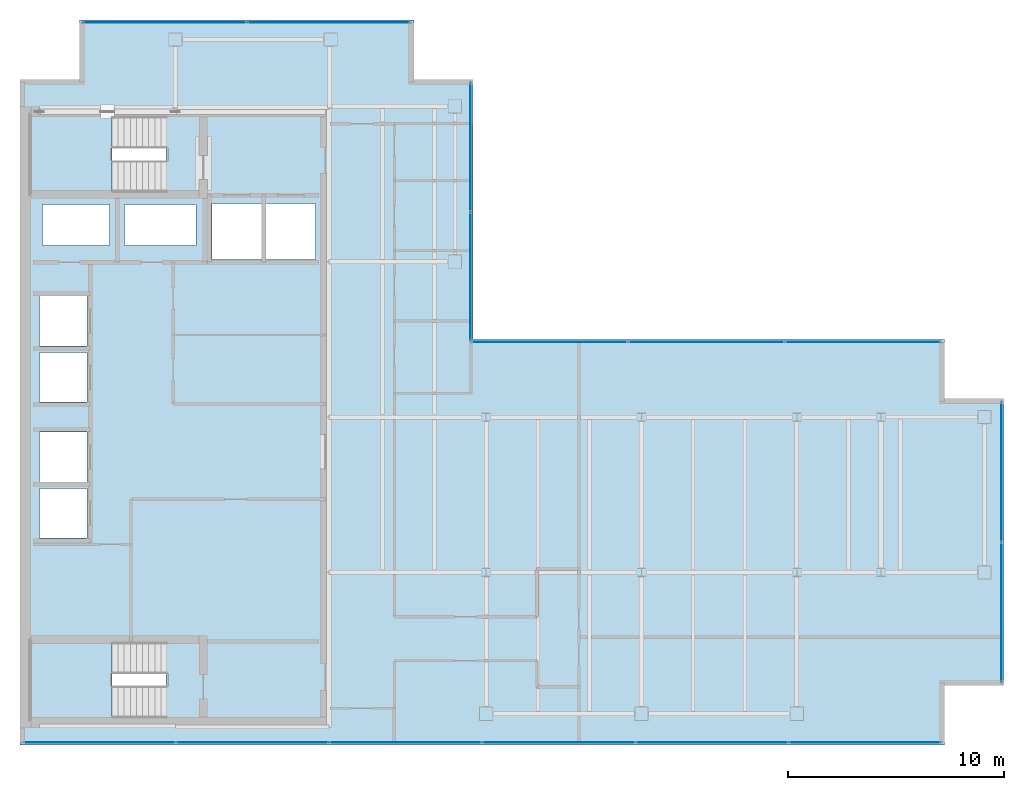
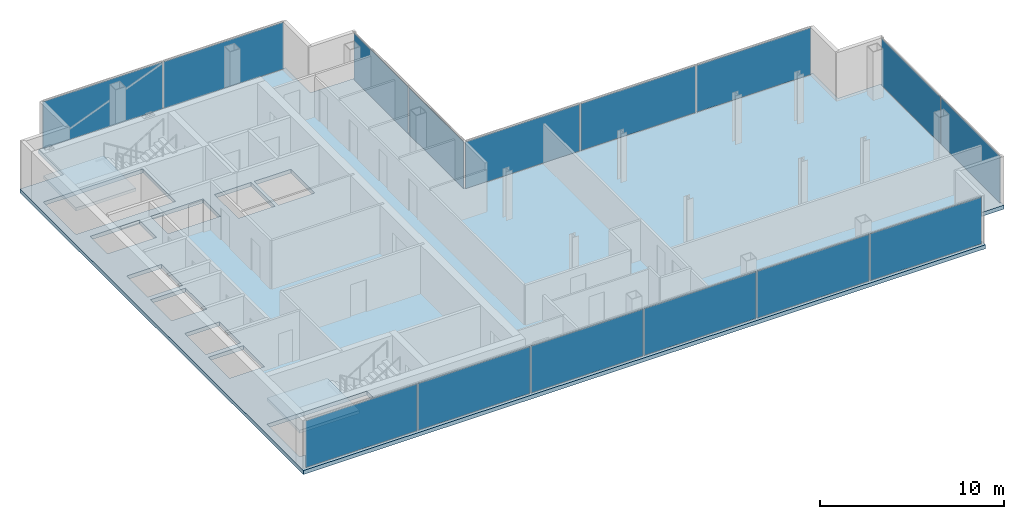
# One storey, part 20 of 24: 15 plates, 3 slabs, 10 openings, 7 elements without a shape of their own.
"""IFC4 building model written with IfcOpenShell, lengths in metres."""

from ifc_helpers import new_model, si_unit, direction, frame, origin, origin_2d, place, context, subcontext, project, spatial, polyline, rectangle, outline, extrude, material, layer, layer_set, type_object, element, aggregate, save


model = new_model("IFC4")

# Units and contexts
model_context = context("Model", 3, precision=1e-05, world=origin(), true_north=direction((0.0, 1.0)))
body_context = subcontext(model_context, "Body", "Model", "MODEL_VIEW")
ifc_project = project(units=[si_unit("LENGTHUNIT", "METRE"), si_unit("AREAUNIT", "SQUARE_METRE"), si_unit("VOLUMEUNIT", "CUBIC_METRE"), si_unit("PLANEANGLEUNIT", "RADIAN"), si_unit("MASSUNIT", "GRAM", prefix="KILO")], contexts=[model_context])

# Site, building, storey
site_placement = place(None, origin())
site = spatial("IfcSite", under=ifc_project, at=site_placement, CompositionType="ELEMENT")
building_placement = place(site_placement, origin())
building = spatial("IfcBuilding", under=site, at=building_placement, Name="Cobrela Telecom Tower", CompositionType="ELEMENT")
storey_placement = place(building_placement, frame((0.0, 0.0, 248.14990234375)))
storey = spatial("IfcBuildingStorey", under=building, at=storey_placement, Name="L64", CompositionType="ELEMENT", Elevation=248.14990234375)

# Curtain wall, plates
ifc_material_1 = material(Name="Anodized Bronze Aluminium 6063-T6", Category="aluminium")
curtain_wall_type = type_object("IfcCurtainWallType", Name="CW-SYS-OFF-HI", PredefinedType="USERDEFINED", material=ifc_material_1)
curtain_wall_1_placement = place(storey_placement, origin())
curtain_wall_1 = element("IfcCurtainWall", 1, at=curtain_wall_1_placement, inside=storey, type_object=curtain_wall_type, Name="L64 Unitised Bronze Curtain Wall 05", ObjectType="UNITISED CURTAIN WALL", PredefinedType="USERDEFINED")
ifc_material_2 = material(Name="Solar-Control Bronze Low-E Glass", Category="glass")
ifc_layer_1 = layer(ifc_material_2, 0.030029296875)
ifc_layer_set_1 = layer_set([ifc_layer_1], Name="Solar-Control Bronze Low-E Glass")
plate_type = type_object("IfcPlateType", Name="CW-SYS-OFF-HI-PNL", PredefinedType="CURTAIN_PANEL", material=ifc_layer_set_1)
plate_1_placement = place(storey_placement, frame((6.702392578125, 39.8798828125, 0.06494140625), z_axis=(0.0, 0.0, 1.0), x_axis=(1.0, 0.0, 0.0)))
plate_1 = element("IfcPlate", 2, at=plate_1_placement, type_object=plate_type, Name="CW-OFF-HI panel 1.1", PredefinedType="CURTAIN_PANEL", context=body_context, shape_type="SweptSolid", body=[
    extrude(rectangle(XDim=7.52490234375, YDim=0.030029296875, at=origin_2d()), origin(), (0.0, 0.0, 1.0), 3.110107421875),
])
plate_2_placement = place(storey_placement, frame((14.297607421875, 39.8798828125, 0.06494140625), z_axis=(0.0, 0.0, 1.0), x_axis=(1.0, 0.0, 0.0)))
plate_2 = element("IfcPlate", 3, at=plate_2_placement, type_object=plate_type, Name="CW-OFF-HI panel 2.1", PredefinedType="CURTAIN_PANEL", context=body_context, shape_type="SweptSolid", body=[
    extrude(rectangle(XDim=7.52490234375, YDim=0.030029296875, at=origin_2d()), origin(), (0.0, 0.0, 1.0), 3.110107421875),
])
aggregate(curtain_wall_1, [plate_1, plate_2])

curtain_wall_2_placement = place(storey_placement, origin())
curtain_wall_2 = element("IfcCurtainWall", 4, at=curtain_wall_2_placement, inside=storey, type_object=curtain_wall_type, Name="L64 Unitised Bronze Curtain Wall 08", ObjectType="UNITISED CURTAIN WALL", PredefinedType="USERDEFINED")
plate_3_placement = place(storey_placement, frame((20.8798828125, 34.10009765625, 0.06494140625), z_axis=(0.0, 0.0, 1.0), x_axis=(0.0, -1.0, 0.0)))
plate_3 = element("IfcPlate", 5, at=plate_3_placement, type_object=plate_type, Name="CW-OFF-HI panel 1.1", PredefinedType="CURTAIN_PANEL", context=body_context, shape_type="SweptSolid", body=[
    extrude(rectangle(XDim=5.919921875, YDim=0.030029296875, at=origin_2d()), origin(), (0.0, 0.0, 1.0), 3.110107421875),
])
plate_4_placement = place(storey_placement, frame((20.8798828125, 28.110107421875, 0.06494140625), z_axis=(0.0, 0.0, 1.0), x_axis=(0.0, -1.0, 0.0)))
plate_4 = element("IfcPlate", 6, at=plate_4_placement, type_object=plate_type, Name="CW-OFF-HI panel 2.1", PredefinedType="CURTAIN_PANEL", context=body_context, shape_type="SweptSolid", body=[
    extrude(rectangle(XDim=5.919921875, YDim=0.030029296875, at=origin_2d()), origin(), (0.0, 0.0, 1.0), 3.110107421875),
])
aggregate(curtain_wall_2, [plate_3, plate_4])

curtain_wall_3_placement = place(storey_placement, origin())
curtain_wall_3 = element("IfcCurtainWall", 7, at=curtain_wall_3_placement, inside=storey, type_object=curtain_wall_type, Name="L64 Unitised Bronze Curtain Wall 09", ObjectType="UNITISED CURTAIN WALL", PredefinedType="USERDEFINED")
plate_5_placement = place(storey_placement, frame((24.5390625, 25.080078125, 0.06494140625), z_axis=(0.0, 0.0, 1.0), x_axis=(1.0, 0.0, 0.0)))
plate_5 = element("IfcPlate", 8, at=plate_5_placement, type_object=plate_type, Name="CW-OFF-HI panel 1.1", PredefinedType="CURTAIN_PANEL", context=body_context, shape_type="SweptSolid", body=[
    extrude(rectangle(XDim=7.17822265625, YDim=0.030029296875, at=origin_2d()), origin(), (0.0, 0.0, 1.0), 3.110107421875),
])
plate_6_placement = place(storey_placement, frame((31.804931640625, 25.080078125, 0.06494140625), z_axis=(0.0, 0.0, 1.0), x_axis=(1.0, 0.0, 0.0)))
plate_6 = element("IfcPlate", 9, at=plate_6_placement, type_object=plate_type, Name="CW-OFF-HI panel 2.1", PredefinedType="CURTAIN_PANEL", context=body_context, shape_type="SweptSolid", body=[
    extrude(rectangle(XDim=7.21337890625, YDim=0.030029296875, at=origin_2d()), origin(), (0.0, 0.0, 1.0), 3.110107421875),
])
plate_7_placement = place(storey_placement, frame((39.07080078125, 25.080078125, 0.06494140625), z_axis=(0.0, 0.0, 1.0), x_axis=(1.0, 0.0, 0.0)))
plate_7 = element("IfcPlate", 10, at=plate_7_placement, type_object=plate_type, Name="CW-OFF-HI panel 3.1", PredefinedType="CURTAIN_PANEL", context=body_context, shape_type="SweptSolid", body=[
    extrude(rectangle(XDim=7.17822265625, YDim=0.030029296875, at=origin_2d()), origin(), (0.0, 0.0, 1.0), 3.110107421875),
])
aggregate(curtain_wall_3, [plate_5, plate_6, plate_7])

curtain_wall_4_placement = place(storey_placement, origin())
curtain_wall_4 = element("IfcCurtainWall", 11, at=curtain_wall_4_placement, inside=storey, type_object=curtain_wall_type, Name="L64 Unitised Bronze Curtain Wall 12", ObjectType="UNITISED CURTAIN WALL", PredefinedType="USERDEFINED")
plate_8_placement = place(storey_placement, frame((45.47998046875, 19.047607421875, 0.06494140625), z_axis=(0.0, 0.0, 1.0), x_axis=(0.0, -1.0, 0.0)))
plate_8 = element("IfcPlate", 12, at=plate_8_placement, type_object=plate_type, Name="CW-OFF-HI panel 1.1", PredefinedType="CURTAIN_PANEL", context=body_context, shape_type="SweptSolid", body=[
    extrude(rectangle(XDim=6.425048828125, YDim=0.030029296875, at=origin_2d()), origin(), (0.0, 0.0, 1.0), 3.110107421875),
])
plate_9_placement = place(storey_placement, frame((45.47998046875, 12.552490234375, 0.06494140625), z_axis=(0.0, 0.0, 1.0), x_axis=(0.0, -1.0, 0.0)))
plate_9 = element("IfcPlate", 13, at=plate_9_placement, type_object=plate_type, Name="CW-OFF-HI panel 2.1", PredefinedType="CURTAIN_PANEL", context=body_context, shape_type="SweptSolid", body=[
    extrude(rectangle(XDim=6.425048828125, YDim=0.030029296875, at=origin_2d()), origin(), (0.0, 0.0, 1.0), 3.110107421875),
])
aggregate(curtain_wall_4, [plate_8, plate_9])

curtain_wall_5_placement = place(storey_placement, origin())
curtain_wall_5 = element("IfcCurtainWall", 14, at=curtain_wall_5_placement, inside=storey, type_object=curtain_wall_type, Name="L64 Unitised Bronze Curtain Wall 15", ObjectType="UNITISED CURTAIN WALL", PredefinedType="USERDEFINED")
plate_10_placement = place(storey_placement, frame((39.16162109375, 6.52001953125, 0.06494140625), z_axis=(0.0, 0.0, 1.0), x_axis=(-1.0, 0.0, 0.0)))
plate_10 = element("IfcPlate", 15, at=plate_10_placement, type_object=plate_type, Name="CW-OFF-HI panel 1.1", PredefinedType="CURTAIN_PANEL", context=body_context, shape_type="SweptSolid", body=[
    extrude(rectangle(XDim=6.99658203125, YDim=0.030029296875, at=origin_2d()), origin(), (0.0, 0.0, 1.0), 3.110107421875),
])
plate_11_placement = place(storey_placement, frame((32.077392578125, 6.52001953125, 0.06494140625), z_axis=(0.0, 0.0, 1.0), x_axis=(-1.0, 0.0, 0.0)))
plate_11 = element("IfcPlate", 16, at=plate_11_placement, type_object=plate_type, Name="CW-OFF-HI panel 2.1", PredefinedType="CURTAIN_PANEL", context=body_context, shape_type="SweptSolid", body=[
    extrude(rectangle(XDim=7.03173828125, YDim=0.030029296875, at=origin_2d()), origin(), (0.0, 0.0, 1.0), 3.110107421875),
])
plate_12_placement = place(storey_placement, frame((24.975830078125, 6.52001953125, 0.06494140625), z_axis=(0.0, 0.0, 1.0), x_axis=(-1.0, 0.0, 0.0)))
plate_12 = element("IfcPlate", 17, at=plate_12_placement, type_object=plate_type, Name="CW-OFF-HI panel 3.1", PredefinedType="CURTAIN_PANEL", context=body_context, shape_type="SweptSolid", body=[
    extrude(rectangle(XDim=7.03173828125, YDim=0.030029296875, at=origin_2d()), origin(), (0.0, 0.0, 1.0), 3.110107421875),
])
plate_13_placement = place(storey_placement, frame((17.874267578125, 6.52001953125, 0.06494140625), z_axis=(0.0, 0.0, 1.0), x_axis=(-1.0, 0.0, 0.0)))
plate_13 = element("IfcPlate", 18, at=plate_13_placement, type_object=plate_type, Name="CW-OFF-HI panel 4.1", PredefinedType="CURTAIN_PANEL", context=body_context, shape_type="SweptSolid", body=[
    extrude(rectangle(XDim=7.03173828125, YDim=0.030029296875, at=origin_2d()), origin(), (0.0, 0.0, 1.0), 3.110107421875),
])
plate_14_placement = place(storey_placement, frame((10.7724609375, 6.52001953125, 0.06494140625), z_axis=(0.0, 0.0, 1.0), x_axis=(-1.0, 0.0, 0.0)))
plate_14 = element("IfcPlate", 19, at=plate_14_placement, type_object=plate_type, Name="CW-OFF-HI panel 5.1", PredefinedType="CURTAIN_PANEL", context=body_context, shape_type="SweptSolid", body=[
    extrude(rectangle(XDim=7.03173828125, YDim=0.030029296875, at=origin_2d()), origin(), (0.0, 0.0, 1.0), 3.110107421875),
])
plate_15_placement = place(storey_placement, frame((3.688232421875, 6.52001953125, 0.06494140625), z_axis=(0.0, 0.0, 1.0), x_axis=(-1.0, 0.0, 0.0)))
plate_15 = element("IfcPlate", 20, at=plate_15_placement, type_object=plate_type, Name="CW-OFF-HI panel 6.1", PredefinedType="CURTAIN_PANEL", context=body_context, shape_type="SweptSolid", body=[
    extrude(rectangle(XDim=6.99658203125, YDim=0.030029296875, at=origin_2d()), origin(), (0.0, 0.0, 1.0), 3.110107421875),
])
aggregate(curtain_wall_5, [plate_10, plate_11, plate_12, plate_13, plate_14, plate_15])

# Slab, openings
ifc_material_3 = material(Name="Concrete C40/50", Category="concrete")
ifc_layer_2 = layer(ifc_material_3, 0.260009765625)
ifc_layer_set_2 = layer_set([ifc_layer_2], Name="Concrete C40/50")
slab_type_1 = type_object("IfcSlabType", Name="SLAB-FLR-260", PredefinedType="FLOOR", material=ifc_layer_set_2)
slab_1_placement = place(storey_placement, frame((0.0, 0.0, -0.260009765625)))
slab_1 = element("IfcSlab", 21, at=slab_1_placement, inside=storey, type_object=slab_type_1, Name="L64 Structural Floor Slab", PredefinedType="FLOOR", context=body_context, shape_type="SweptSolid", body=[
    extrude(outline(polyline([(0.0, 6.39990234375), (42.85009765625, 6.39990234375), (42.85009765625, 9.14990234375), (45.60009765625, 9.14990234375), (45.60009765625, 22.449951171875), (42.85009765625, 22.449951171875), (42.85009765625, 25.199951171875), (21.0, 25.199951171875), (21.0, 37.25), (18.25, 37.25), (18.25, 40.0), (2.75, 40.0), (2.75, 37.25), (0.0, 37.25), (0.0, 6.39990234375)])), origin(), (0.0, 0.0, 1.0), 0.260009765625),
])
opening_1_placement = place(slab_1_placement, frame((0.0, 0.0, -0.02001953125)))
element("IfcOpeningElement", 22, at=opening_1_placement, cuts=slab_1, Name="Slab Shaft Opening SLAB-L64-MAIN.1", PredefinedType="OPENING", context=body_context, shape_type="SweptSolid", body=[
    extrude(outline(polyline([(8.89990234375, 28.89990234375), (11.199951171875, 28.89990234375), (11.199951171875, 31.5), (8.89990234375, 31.5), (8.89990234375, 28.89990234375)])), origin(), (0.0, 0.0, 1.0), 0.300048828125),
])
opening_2_placement = place(slab_1_placement, frame((0.0, 0.0, -0.02001953125)))
element("IfcOpeningElement", 23, at=opening_2_placement, cuts=slab_1, Name="Slab Shaft Opening SLAB-L64-MAIN.2", PredefinedType="OPENING", context=body_context, shape_type="SweptSolid", body=[
    extrude(outline(polyline([(11.39990234375, 28.89990234375), (13.699951171875, 28.89990234375), (13.699951171875, 31.5), (11.39990234375, 31.5), (11.39990234375, 28.89990234375)])), origin(), (0.0, 0.0, 1.0), 0.300048828125),
])
opening_3_placement = place(slab_1_placement, frame((0.0, 0.0, -0.02001953125)))
element("IfcOpeningElement", 24, at=opening_3_placement, cuts=slab_1, Name="Slab Shaft Opening SLAB-L64-MAIN.3", PredefinedType="OPENING", context=body_context, shape_type="SweptSolid", body=[
    extrude(outline(polyline([(0.89990234375, 16.0), (3.10009765625, 16.0), (3.10009765625, 18.300048828125), (0.89990234375, 18.300048828125), (0.89990234375, 16.0)])), origin(), (0.0, 0.0, 1.0), 0.300048828125),
])
opening_4_placement = place(slab_1_placement, frame((0.0, 0.0, -0.02001953125)))
element("IfcOpeningElement", 25, at=opening_4_placement, cuts=slab_1, Name="Slab Shaft Opening SLAB-L64-MAIN.4", PredefinedType="OPENING", context=body_context, shape_type="SweptSolid", body=[
    extrude(outline(polyline([(0.89990234375, 18.60009765625), (3.10009765625, 18.60009765625), (3.10009765625, 20.89990234375), (0.89990234375, 20.89990234375), (0.89990234375, 18.60009765625)])), origin(), (0.0, 0.0, 1.0), 0.300048828125),
])
opening_5_placement = place(slab_1_placement, frame((0.0, 0.0, -0.02001953125)))
element("IfcOpeningElement", 26, at=opening_5_placement, cuts=slab_1, Name="Slab Shaft Opening SLAB-L64-MAIN.5", PredefinedType="OPENING", context=body_context, shape_type="SweptSolid", body=[
    extrude(outline(polyline([(0.89990234375, 22.300048828125), (3.10009765625, 22.300048828125), (3.10009765625, 24.60009765625), (0.89990234375, 24.60009765625), (0.89990234375, 22.300048828125)])), origin(), (0.0, 0.0, 1.0), 0.300048828125),
])
opening_6_placement = place(slab_1_placement, frame((0.0, 0.0, -0.02001953125)))
element("IfcOpeningElement", 27, at=opening_6_placement, cuts=slab_1, Name="Slab Shaft Opening SLAB-L64-MAIN.6", PredefinedType="OPENING", context=body_context, shape_type="SweptSolid", body=[
    extrude(outline(polyline([(0.89990234375, 24.89990234375), (3.10009765625, 24.89990234375), (3.10009765625, 27.199951171875), (0.89990234375, 27.199951171875), (0.89990234375, 24.89990234375)])), origin(), (0.0, 0.0, 1.0), 0.300048828125),
])
opening_7_placement = place(slab_1_placement, frame((0.0, 0.0, -0.02001953125)))
element("IfcOpeningElement", 28, at=opening_7_placement, cuts=slab_1, Name="Slab Shaft Opening SLAB-L64-MAIN.7", PredefinedType="OPENING", context=body_context, shape_type="SweptSolid", body=[
    extrude(outline(polyline([(1.050048828125, 29.550048828125), (4.14990234375, 29.550048828125), (4.14990234375, 31.449951171875), (1.050048828125, 31.449951171875), (1.050048828125, 29.550048828125)])), origin(), (0.0, 0.0, 1.0), 0.300048828125),
])
opening_8_placement = place(slab_1_placement, frame((0.0, 0.0, -0.02001953125)))
element("IfcOpeningElement", 29, at=opening_8_placement, cuts=slab_1, Name="Slab Shaft Opening SLAB-L64-MAIN.8", PredefinedType="OPENING", context=body_context, shape_type="SweptSolid", body=[
    extrude(outline(polyline([(4.85009765625, 29.550048828125), (8.14990234375, 29.550048828125), (8.14990234375, 31.449951171875), (4.85009765625, 31.449951171875), (4.85009765625, 29.550048828125)])), origin(), (0.0, 0.0, 1.0), 0.300048828125),
])
opening_9_placement = place(slab_1_placement, frame((0.0, 0.0, -0.02001953125)))
element("IfcOpeningElement", 30, at=opening_9_placement, cuts=slab_1, Name="Slab Shaft Opening SLAB-L64-MAIN.9", PredefinedType="OPENING", context=body_context, shape_type="SweptSolid", body=[
    extrude(outline(polyline([(6.7548828125, 35.550048828125), (0.47998046875, 35.550048828125), (0.47998046875, 32.0), (6.7548828125, 32.0), (6.7548828125, 35.550048828125)])), origin(), (0.0, 0.0, 1.0), 0.300048828125),
])
opening_10_placement = place(slab_1_placement, frame((0.0, 0.0, -0.02001953125)))
element("IfcOpeningElement", 31, at=opening_10_placement, cuts=slab_1, Name="Slab Shaft Opening SLAB-L64-MAIN.10", PredefinedType="OPENING", context=body_context, shape_type="SweptSolid", body=[
    extrude(outline(polyline([(6.7548828125, 11.199951171875), (0.47998046875, 11.199951171875), (0.47998046875, 7.64990234375), (6.7548828125, 7.64990234375), (6.7548828125, 11.199951171875)])), origin(), (0.0, 0.0, 1.0), 0.300048828125),
])

# Stair, slab
stair_type = type_object("IfcStairType", Name="STAIR-CORE", PredefinedType="HALF_TURN_STAIR", material=ifc_material_3)
stair_1_placement = place(storey_placement, origin())
stair_1 = element("IfcStair", 32, at=stair_1_placement, inside=storey, type_object=stair_type, Name="L64 Smokeproof Exit Stair ST1", PredefinedType="HALF_TURN_STAIR")
ifc_layer_3 = layer(ifc_material_3, 0.199951171875)
ifc_layer_set_3 = layer_set([ifc_layer_3], Name="Concrete C40/50")
slab_type_2 = type_object("IfcSlabType", Name="SLAB-LAND-200", PredefinedType="LANDING", material=ifc_layer_set_3)
slab_2_placement = place(storey_placement, frame((0.0, 0.0, 1.550048828125)))
slab_2 = element("IfcSlab", 33, at=slab_2_placement, type_object=slab_type_2, Name="ST1 landing 1", PredefinedType="LANDING", context=body_context, shape_type="SweptSolid", body=[
    extrude(outline(polyline([(4.2548828125, 35.550048828125), (0.47998046875, 35.550048828125), (0.47998046875, 32.0), (4.2548828125, 32.0), (4.2548828125, 35.550048828125)])), origin(), (0.0, 0.0, 1.0), 0.199951171875),
])
aggregate(stair_1, [slab_2])

stair_2_placement = place(storey_placement, origin())
stair_2 = element("IfcStair", 34, at=stair_2_placement, inside=storey, type_object=stair_type, Name="L64 Smokeproof Exit Stair ST2", PredefinedType="HALF_TURN_STAIR")
slab_3_placement = place(storey_placement, frame((0.0, 0.0, 1.550048828125)))
slab_3 = element("IfcSlab", 35, at=slab_3_placement, type_object=slab_type_2, Name="ST2 landing 1", PredefinedType="LANDING", context=body_context, shape_type="SweptSolid", body=[
    extrude(outline(polyline([(4.2548828125, 11.199951171875), (0.47998046875, 11.199951171875), (0.47998046875, 7.64990234375), (4.2548828125, 7.64990234375), (4.2548828125, 11.199951171875)])), origin(), (0.0, 0.0, 1.0), 0.199951171875),
])
aggregate(stair_2, [slab_3])

save(model, "model.ifc")
